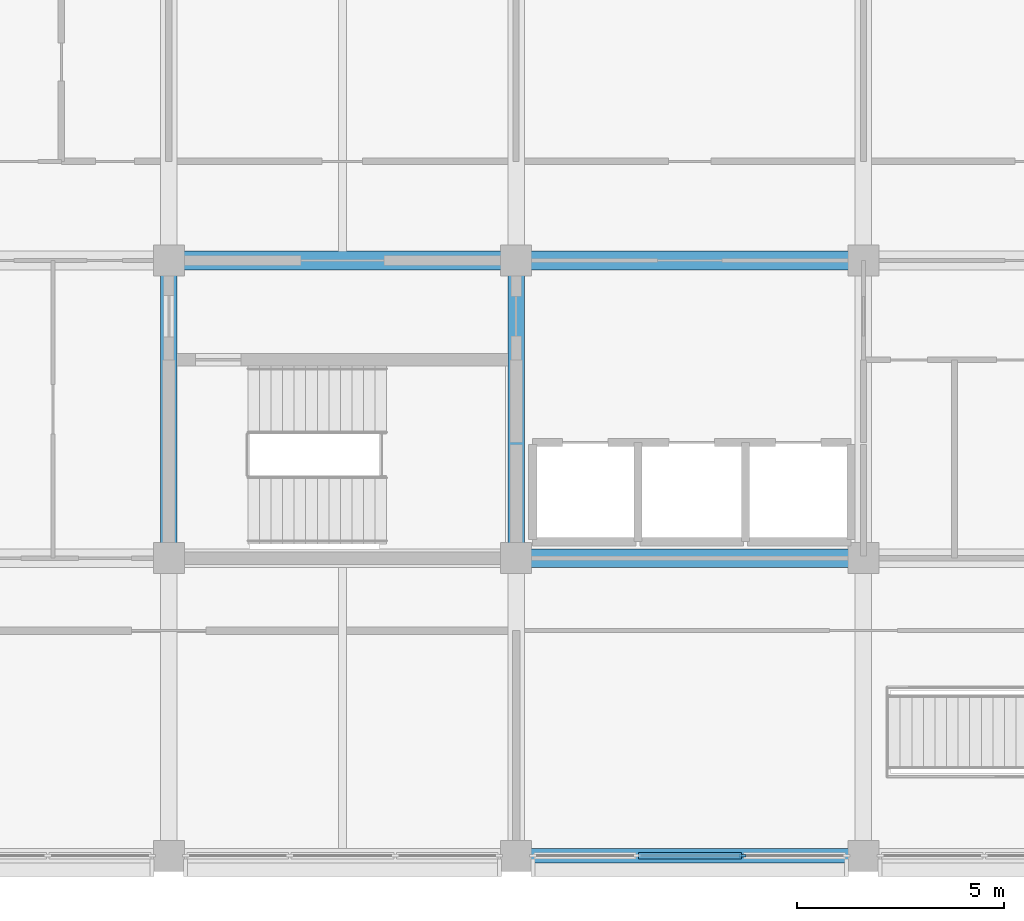
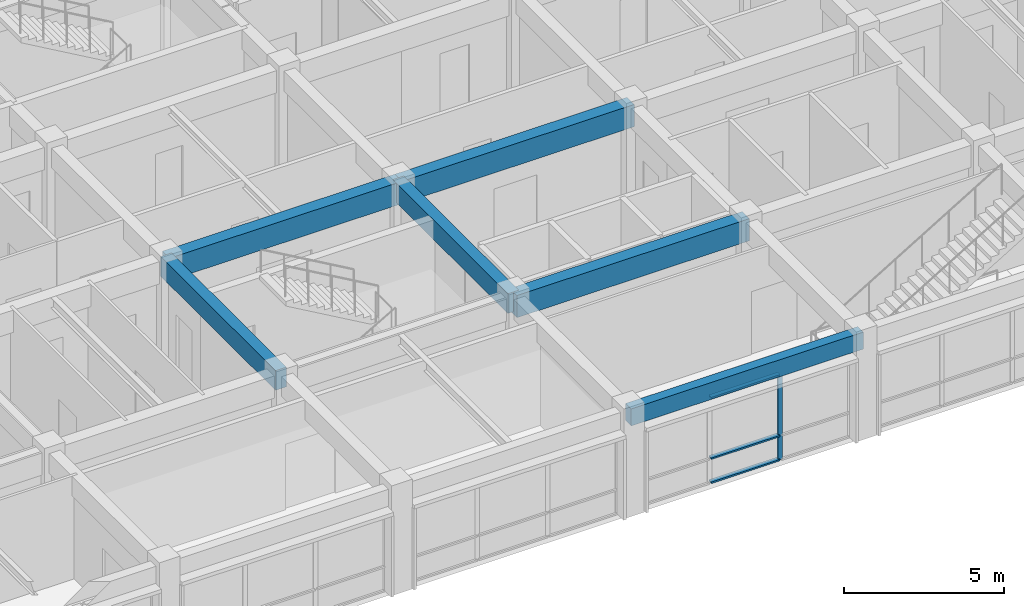
# One storey, part 3 of 27: 6 beams, 4 members, 1 element without a shape of its own.
"""IFC4 building model written with IfcOpenShell, lengths in metres."""

from ifc_helpers import new_model, si_unit, direction, frame, origin, origin_2d, place, context, subcontext, project, spatial, rectangle, extrude, material, layer, layer_set, material_profile, profile_set, type_object, element, aggregate, save


model = new_model("IFC4")

# Units and contexts
model_context = context("Model", 3, precision=1e-05, world=origin(), true_north=direction((0.0, 1.0)))
body_context = subcontext(model_context, "Body", "Model", "MODEL_VIEW")
ifc_project = project(units=[si_unit("LENGTHUNIT", "METRE"), si_unit("AREAUNIT", "SQUARE_METRE"), si_unit("VOLUMEUNIT", "CUBIC_METRE"), si_unit("PLANEANGLEUNIT", "RADIAN"), si_unit("MASSUNIT", "GRAM", prefix="KILO")], contexts=[model_context])

# Site, building, storey
site_placement = place(None, origin())
site = spatial("IfcSite", under=ifc_project, at=site_placement, CompositionType="ELEMENT")
building_placement = place(site_placement, origin())
building = spatial("IfcBuilding", under=site, at=building_placement, Name="Chengyuan Square Courthouse", CompositionType="ELEMENT")
storey_placement = place(building_placement, frame((0.0, 0.0, 39.300048828125)))
storey = spatial("IfcBuildingStorey", under=building, at=storey_placement, Name="L09", CompositionType="ELEMENT", Elevation=39.300048828125)

# Beams
ifc_material_1 = material(Name="Concrete C40", Category="concrete")
ifc_material_profile_1 = material_profile(ifc_material_1, rectangle(XDim=0.449951171875, YDim=0.85009765625, at=origin_2d()), Name="RC-BM-450x850")
ifc_profile_set_1 = profile_set([ifc_material_profile_1], Name="Concrete C40")
beam_type_1 = type_object("IfcBeamType", Name="BM-01", PredefinedType="USERDEFINED", material=ifc_profile_set_1)
beam_1_placement = place(storey_placement, frame((67.199951171875, 86.39990234375, 3.52490234375), z_axis=(1.0, 0.0, 0.0), x_axis=(0.0, 1.0, 0.0)))
element("IfcBeam", 1, at=beam_1_placement, inside=storey, type_object=beam_type_1, Name="Girder BM-L09-3910", ObjectType="GIRDER", PredefinedType="USERDEFINED", context=body_context, shape_type="SweptSolid", body=[
    extrude(rectangle(XDim=0.449951171875, YDim=0.85009765625, at=origin_2d()), origin(), (0.0, 0.0, 1.0), 8.400146484375),
])
beam_2_placement = place(storey_placement, frame((58.800048828125, 93.60009765625, 3.52490234375), z_axis=(1.0, 0.0, 0.0), x_axis=(0.0, 1.0, 0.0)))
element("IfcBeam", 2, at=beam_2_placement, inside=storey, type_object=beam_type_1, Name="Girder BM-L09-3919", ObjectType="GIRDER", PredefinedType="USERDEFINED", context=body_context, shape_type="SweptSolid", body=[
    extrude(rectangle(XDim=0.449951171875, YDim=0.85009765625, at=origin_2d()), origin(), (0.0, 0.0, 1.0), 8.39990234375),
])
beam_3_placement = place(storey_placement, frame((67.199951171875, 93.60009765625, 3.52490234375), z_axis=(1.0, 0.0, 0.0), x_axis=(0.0, 1.0, 0.0)))
element("IfcBeam", 3, at=beam_3_placement, inside=storey, type_object=beam_type_1, Name="Girder BM-L09-3920", ObjectType="GIRDER", PredefinedType="USERDEFINED", context=body_context, shape_type="SweptSolid", body=[
    extrude(rectangle(XDim=0.449951171875, YDim=0.85009765625, at=origin_2d()), origin(), (0.0, 0.0, 1.0), 8.400146484375),
])
ifc_material_profile_2 = material_profile(ifc_material_1, rectangle(XDim=0.39990234375, YDim=0.75, at=origin_2d()), Name="RC-BM-400x750")
ifc_profile_set_2 = profile_set([ifc_material_profile_2], Name="Concrete C40")
beam_type_2 = type_object("IfcBeamType", Name="BM-02", PredefinedType="USERDEFINED", material=ifc_profile_set_2)
for number, where, z_axis, x_axis, name in (
    (4, (58.800048828125, 86.39990234375, 3.574951171875), (0.0, 1.0, 0.0), (-1.0, 0.0, 0.0), "Girder BM-L09-3965"),
    (5, (67.199951171875, 86.39990234375, 3.574951171875), (0.0, 1.0, 0.0), (-1.0, 0.0, 0.0), "Girder BM-L09-3970"),
):
    element("IfcBeam", number, at=place(storey_placement, frame(where, z_axis=z_axis, x_axis=x_axis)), inside=storey, type_object=beam_type_2, Name=name, ObjectType="GIRDER", PredefinedType="USERDEFINED", context=body_context, shape_type="SweptSolid", body=[
        extrude(rectangle(XDim=0.39990234375, YDim=0.75, at=origin_2d()), origin(), (0.0, 0.0, 1.0), 7.2001953125),
    ])
ifc_material_profile_3 = material_profile(ifc_material_1, rectangle(XDim=0.35009765625, YDim=0.64990234375, at=origin_2d()), Name="RC-BM-350x650")
ifc_profile_set_3 = profile_set([ifc_material_profile_3], Name="Concrete C40")
beam_type_3 = type_object("IfcBeamType", Name="BM-03", PredefinedType="SPANDREL", material=ifc_profile_set_3)
beam_4_placement = place(storey_placement, frame((67.199951171875, 79.199951171875, 3.625), z_axis=(1.0, 0.0, 0.0), x_axis=(0.0, 1.0, 0.0)))
element("IfcBeam", 6, at=beam_4_placement, inside=storey, type_object=beam_type_3, Name="Girder BM-L09-3900", PredefinedType="SPANDREL", context=body_context, shape_type="SweptSolid", body=[
    extrude(rectangle(XDim=0.35009765625, YDim=0.64990234375, at=origin_2d()), origin(), (0.0, 0.0, 1.0), 8.400146484375),
])

# Curtain wall, members
ifc_material_2 = material(Name="Unitised Aluminium and Triple Low-E Glass", Category="aluminium")
ifc_layer = layer(ifc_material_2, 0.159912109375)
ifc_layer_set = layer_set([ifc_layer], Name="Unitised Aluminium and Triple Low-E Glass")
curtain_wall_type = type_object("IfcCurtainWallType", Name="CW-01", PredefinedType="USERDEFINED", material=ifc_layer_set)
curtain_wall_placement = place(storey_placement, origin())
curtain_wall = element("IfcCurtainWall", 7, at=curtain_wall_placement, inside=storey, type_object=curtain_wall_type, Name="Unitised Curtain Wall CW-L09-238", ObjectType="UNITISED CURTAIN WALL", PredefinedType="USERDEFINED")
ifc_material_3 = material(Name="Aluminium 6063-T6 Frame", Category="aluminium")
ifc_material_profile_4 = material_profile(ifc_material_3, rectangle(XDim=0.06005859375, YDim=0.159912109375, at=origin_2d()), Name="CW-MUL-60x160")
ifc_profile_set_4 = profile_set([ifc_material_profile_4], Name="Aluminium 6063-T6 Frame")
member_type_1 = type_object("IfcMemberType", Name="CWM-01", PredefinedType="MULLION", material=ifc_profile_set_4)
member_1_placement = place(storey_placement, frame((72.675048828125, 79.199951171875, 0.0), z_axis=(0.0, 0.0, 1.0), x_axis=(0.0, 1.0, 0.0)))
member_1 = element("IfcMember", 8, at=member_1_placement, type_object=member_type_1, Name="CW-01 mullion 3", PredefinedType="MULLION", context=body_context, shape_type="SweptSolid", body=[
    extrude(rectangle(XDim=0.06005859375, YDim=0.159912109375, at=origin_2d()), origin(), (0.0, 0.0, 1.0), 3.300048828125),
])
ifc_material_profile_5 = material_profile(ifc_material_3, rectangle(XDim=0.159912109375, YDim=0.06005859375, at=origin_2d()), Name="CW-TRN-60x120")
ifc_profile_set_5 = profile_set([ifc_material_profile_5], Name="Aluminium 6063-T6 Frame")
member_type_2 = type_object("IfcMemberType", Name="CWT-01", PredefinedType="USERDEFINED", material=ifc_profile_set_5)
member_2_placement = place(storey_placement, frame((70.155029296875, 79.199951171875, 0.030029296875), z_axis=(1.0, 0.0, 0.0), x_axis=(0.0, 1.0, 0.0)))
member_2 = element("IfcMember", 9, at=member_2_placement, type_object=member_type_2, Name="CW-01 transom 2.1", ObjectType="TRANSOM", PredefinedType="USERDEFINED", context=body_context, shape_type="SweptSolid", body=[
    extrude(rectangle(XDim=0.159912109375, YDim=0.06005859375, at=origin_2d()), origin(), (0.0, 0.0, 1.0), 2.489990234375),
])
member_3_placement = place(storey_placement, frame((70.155029296875, 79.199951171875, 0.949951171875), z_axis=(1.0, 0.0, 0.0), x_axis=(0.0, 1.0, 0.0)))
member_3 = element("IfcMember", 10, at=member_3_placement, type_object=member_type_2, Name="CW-01 transom 2.2", ObjectType="TRANSOM", PredefinedType="USERDEFINED", context=body_context, shape_type="SweptSolid", body=[
    extrude(rectangle(XDim=0.159912109375, YDim=0.06005859375, at=origin_2d()), origin(), (0.0, 0.0, 1.0), 2.489990234375),
])
member_4_placement = place(storey_placement, frame((70.155029296875, 79.199951171875, 3.27001953125), z_axis=(1.0, 0.0, 0.0), x_axis=(0.0, 1.0, 0.0)))
member_4 = element("IfcMember", 11, at=member_4_placement, type_object=member_type_2, Name="CW-01 transom 2.3", ObjectType="TRANSOM", PredefinedType="USERDEFINED", context=body_context, shape_type="SweptSolid", body=[
    extrude(rectangle(XDim=0.159912109375, YDim=0.06005859375, at=origin_2d()), origin(), (0.0, 0.0, 1.0), 2.489990234375),
])
aggregate(curtain_wall, [member_1, member_2, member_3, member_4])

save(model, "model.ifc")
